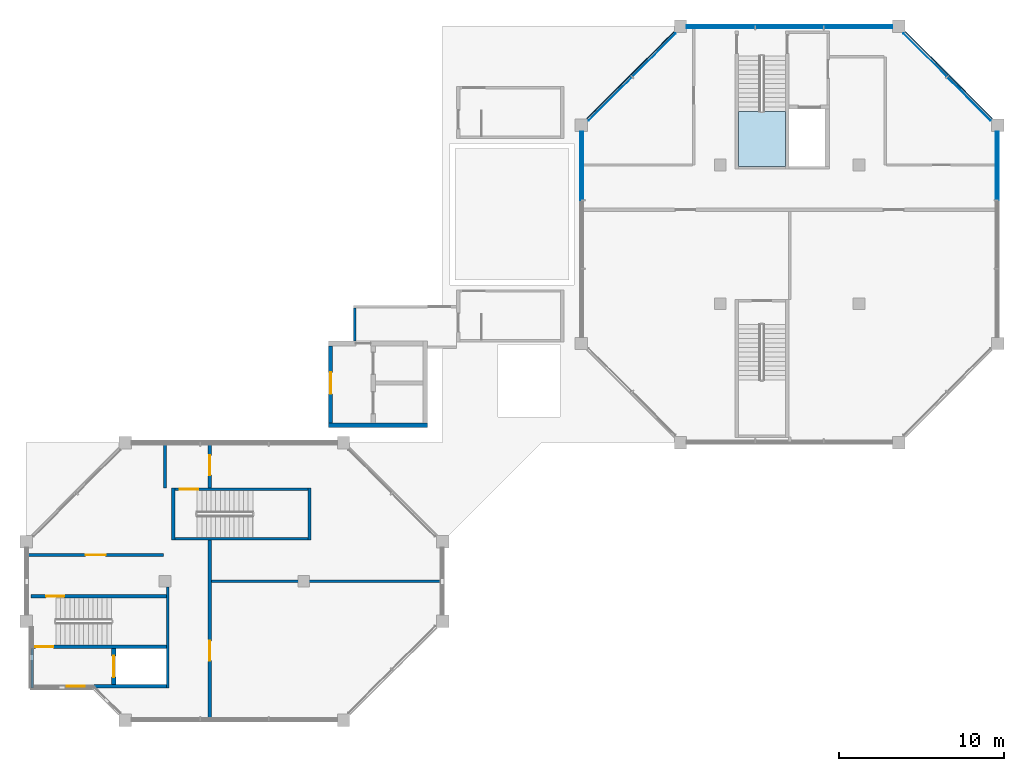
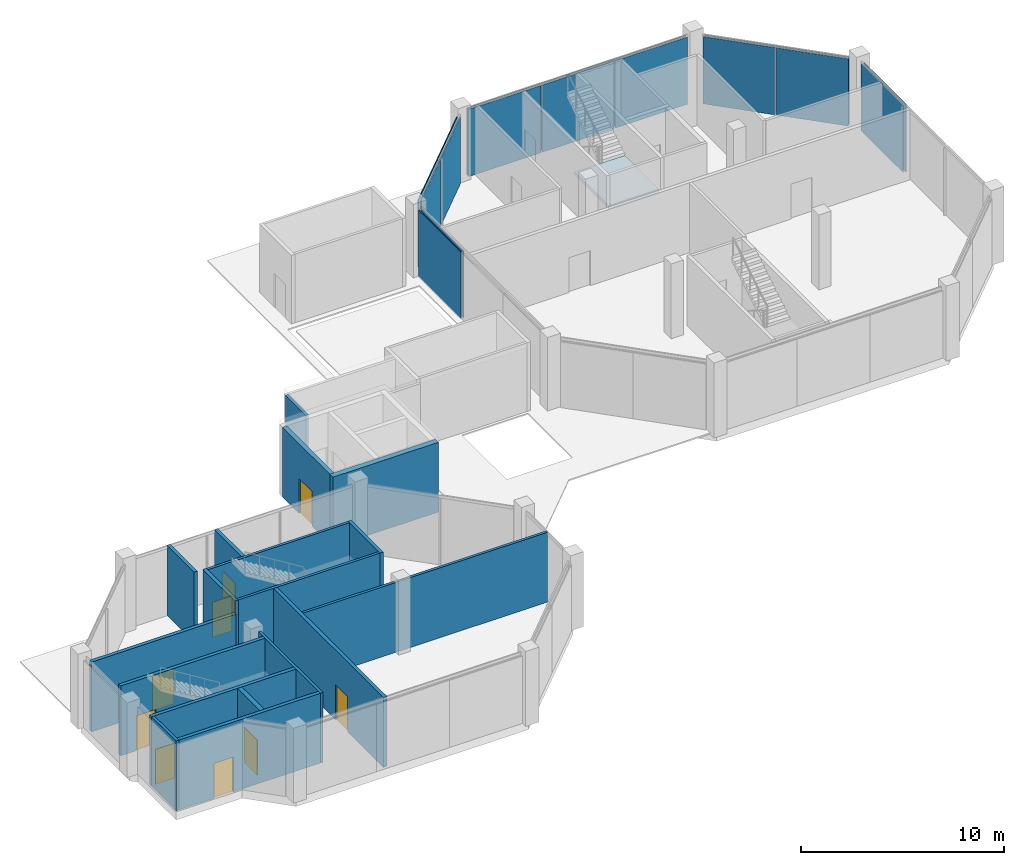
# One storey, part 5 of 10: 18 plates, 18 walls, 9 doors, 1 slab, 9 openings, 6 elements without a shape of their own.
"""IFC4 building model written with IfcOpenShell, lengths in metres."""

from ifc_helpers import new_model, si_unit, direction, frame, frame_2d, origin, origin_2d, place, context, subcontext, project, spatial, polyline, rectangle, outline, extrude, material, layer, layer_set, type_object, element, fill, aggregate, save


model = new_model("IFC4")

# Units and contexts
model_context = context("Model", 3, precision=1e-05, world=origin(), true_north=direction((0.0, 1.0)))
body_context = subcontext(model_context, "Body", "Model", "MODEL_VIEW")
ifc_project = project(units=[si_unit("LENGTHUNIT", "METRE"), si_unit("AREAUNIT", "SQUARE_METRE"), si_unit("VOLUMEUNIT", "CUBIC_METRE"), si_unit("PLANEANGLEUNIT", "RADIAN"), si_unit("MASSUNIT", "GRAM", prefix="KILO")], contexts=[model_context])

# Site, building, storey
site_placement = place(None, origin())
site = spatial("IfcSite", under=ifc_project, at=site_placement, CompositionType="ELEMENT")
building_placement = place(site_placement, origin())
building = spatial("IfcBuilding", under=site, at=building_placement, Name="Kawkab Arch Medical Tower", CompositionType="ELEMENT")
storey_placement = place(building_placement, frame((0.0, 0.0, 336.699951171875)))
storey = spatial("IfcBuildingStorey", under=building, at=storey_placement, Name="L78", CompositionType="ELEMENT", Elevation=336.699951171875)

# Curtain wall, plates
ifc_material_1 = material(Name="Bronze anodised aluminium curtain wall frame", Category="aluminium")
ifc_layer_1 = layer(ifc_material_1, 0.159912109375)
ifc_layer_set_1 = layer_set([ifc_layer_1], Name="Bronze anodised aluminium curtain wall frame")
curtain_wall_type = type_object("IfcCurtainWallType", Name="CW6 helipad lobby and crown glazing", PredefinedType="NOTDEFINED", material=ifc_layer_set_1)
placement = place(storey_placement, origin())
curtain_wall_1 = element("IfcCurtainWall", 1, at=placement, inside=storey, type_object=curtain_wall_type, Name="CW6 Helipad lobby and crown glazing R01", PredefinedType="NOTDEFINED")
ifc_material_2 = material(Name="Tinted laminated insulating glass, low iron", Category="glass")
ifc_layer_2 = layer(ifc_material_2, 0.0400390625)
ifc_layer_set_2 = layer_set([ifc_layer_2], Name="Tinted laminated insulating glass, low iron")
plate_type_1 = type_object("IfcPlateType", Name="CW6 glazing unit 40", PredefinedType="CURTAIN_PANEL", material=ifc_layer_set_2)
plate_1_placement = place(storey_placement, frame((57.05419921875, -4.3955078125, 0.0), z_axis=(0.0, 0.0, 1.0), x_axis=(-0.707106781187, 0.707106781187, 0.0)))
plate_1 = element("IfcPlate", 2, at=plate_1_placement, type_object=plate_type_1, Name="CW6 glazing unit 1.1", PredefinedType="CURTAIN_PANEL", context=body_context, shape_type="SweptSolid", body=[
    extrude(rectangle(XDim=3.67724609375, YDim=0.0400390625, at=origin_2d()), origin(), (0.0, 0.0, 1.0), 4.0400390625),
])
plate_2_placement = place(storey_placement, frame((54.404296875, -1.745849609375, 0.0), z_axis=(0.0, 0.0, 1.0), x_axis=(-0.707106781187, 0.707106781187, 0.0)))
plate_2 = element("IfcPlate", 3, at=plate_2_placement, type_object=plate_type_1, Name="CW6 glazing unit 1.2", PredefinedType="CURTAIN_PANEL", context=body_context, shape_type="SweptSolid", body=[
    extrude(rectangle(XDim=3.67724609375, YDim=0.0400390625, at=origin_2d()), origin(), (0.0, 0.0, 1.0), 4.0400390625),
])
aggregate(curtain_wall_1, [plate_1, plate_2])

curtain_wall_2 = element("IfcCurtainWall", 4, at=placement, inside=storey, type_object=curtain_wall_type, Name="CW6 Helipad lobby and crown glazing R02", PredefinedType="NOTDEFINED")
plate_3_placement = place(storey_placement, frame((50.367431640625, -0.10009765625, 0.0), z_axis=(0.0, 0.0, 1.0), x_axis=(-1.0, 0.0, 0.0)))
plate_3 = element("IfcPlate", 5, at=plate_3_placement, type_object=plate_type_1, Name="CW6 glazing unit 1.1", PredefinedType="CURTAIN_PANEL", context=body_context, shape_type="SweptSolid", body=[
    extrude(rectangle(XDim=4.114990234375, YDim=0.0400390625, at=origin_2d()), origin(), (0.0, 0.0, 1.0), 4.0400390625),
])
plate_4_placement = place(storey_placement, frame((46.199951171875, -0.10009765625, 0.0), z_axis=(0.0, 0.0, 1.0), x_axis=(-1.0, 0.0, 0.0)))
plate_4 = element("IfcPlate", 6, at=plate_4_placement, type_object=plate_type_1, Name="CW6 glazing unit 1.2", PredefinedType="CURTAIN_PANEL", context=body_context, shape_type="SweptSolid", body=[
    extrude(rectangle(XDim=4.080078125, YDim=0.0400390625, at=origin_2d()), origin(), (0.0, 0.0, 1.0), 4.0400390625),
])
plate_5_placement = place(storey_placement, frame((42.032470703125, -0.10009765625, 0.0), z_axis=(0.0, 0.0, 1.0), x_axis=(-1.0, 0.0, 0.0)))
plate_5 = element("IfcPlate", 7, at=plate_5_placement, type_object=plate_type_1, Name="CW6 glazing unit 1.3", PredefinedType="CURTAIN_PANEL", context=body_context, shape_type="SweptSolid", body=[
    extrude(rectangle(XDim=4.114990234375, YDim=0.0400390625, at=origin_2d()), origin(), (0.0, 0.0, 1.0), 4.0400390625),
])
aggregate(curtain_wall_2, [plate_3, plate_4, plate_5])

curtain_wall_3 = element("IfcCurtainWall", 8, at=placement, inside=storey, type_object=curtain_wall_type, Name="CW6 Helipad lobby and crown glazing R03", PredefinedType="NOTDEFINED")
plate_6_placement = place(storey_placement, frame((37.99560546875, -1.745849609375, 0.0), z_axis=(0.0, 0.0, 1.0), x_axis=(-0.707106781187, -0.707106781187, 0.0)))
plate_6 = element("IfcPlate", 9, at=plate_6_placement, type_object=plate_type_1, Name="CW6 glazing unit 1.1", PredefinedType="CURTAIN_PANEL", context=body_context, shape_type="SweptSolid", body=[
    extrude(rectangle(XDim=3.67724609375, YDim=0.0400390625, at=origin_2d()), origin(), (0.0, 0.0, 1.0), 4.0400390625),
])
plate_7_placement = place(storey_placement, frame((35.345703125, -4.3955078125, 0.0), z_axis=(0.0, 0.0, 1.0), x_axis=(-0.707106781187, -0.707106781187, 0.0)))
plate_7 = element("IfcPlate", 10, at=plate_7_placement, type_object=plate_type_1, Name="CW6 glazing unit 1.2", PredefinedType="CURTAIN_PANEL", context=body_context, shape_type="SweptSolid", body=[
    extrude(rectangle(XDim=3.67724609375, YDim=0.0400390625, at=origin_2d()), origin(), (0.0, 0.0, 1.0), 4.0400390625),
])
aggregate(curtain_wall_3, [plate_6, plate_7])

# Curtain wall, plate
curtain_wall_4 = element("IfcCurtainWall", 11, at=placement, inside=storey, type_object=curtain_wall_type, Name="CW6 Helipad lobby and crown glazing R04", PredefinedType="NOTDEFINED")
plate_8_placement = place(storey_placement, frame((33.699951171875, -8.4326171875, 0.0), z_axis=(0.0, 0.0, 1.0), x_axis=(0.0, -1.0, 0.0)))
plate_8 = element("IfcPlate", 12, at=plate_8_placement, type_object=plate_type_1, Name="CW6 glazing unit 1.1", PredefinedType="CURTAIN_PANEL", context=body_context, shape_type="SweptSolid", body=[
    extrude(rectangle(XDim=4.114990234375, YDim=0.0400390625, at=origin_2d()), origin(), (0.0, 0.0, 1.0), 4.0400390625),
])
aggregate(curtain_wall_4, [plate_8])

curtain_wall_5 = element("IfcCurtainWall", 13, at=placement, inside=storey, type_object=curtain_wall_type, Name="CW6 Helipad lobby and crown glazing R08", PredefinedType="NOTDEFINED")
plate_9_placement = place(storey_placement, frame((58.699951171875, -8.4326171875, 0.0), z_axis=(0.0, 0.0, 1.0), x_axis=(0.0, 1.0, 0.0)))
plate_9 = element("IfcPlate", 14, at=plate_9_placement, type_object=plate_type_1, Name="CW6 glazing unit 1.3", PredefinedType="CURTAIN_PANEL", context=body_context, shape_type="SweptSolid", body=[
    extrude(rectangle(XDim=4.114990234375, YDim=0.0400390625, at=origin_2d()), origin(), (0.0, 0.0, 1.0), 4.0400390625),
])
aggregate(curtain_wall_5, [plate_9])

# Plates
ifc_material_3 = material(Name="Bronze anodised aluminium perforated screen", Category="aluminium")
ifc_layer_3 = layer(ifc_material_3, 0.050048828125)
ifc_layer_set_3 = layer_set([ifc_layer_3], Name="Bronze anodised aluminium perforated screen")
plate_type_2 = type_object("IfcPlateType", Name="Crown perforated star screen 50", PredefinedType="USERDEFINED", material=ifc_layer_set_3)
for number, where, z_axis, x_axis, name in (
    (15, (57.144287109375, -4.28076171875, 0.0), (0.0, 0.0, 1.0), (-0.707106781187, 0.707106781187, 0.0), "Crown screen L78 R01.1.1"),
    (16, (54.519287109375, -1.655517578125, 0.0), (0.0, 0.0, 1.0), (-0.707106781187, 0.707106781187, 0.0), "Crown screen L78 R01.1.2"),
):
    element("IfcPlate", number, at=place(storey_placement, frame(where, z_axis=z_axis, x_axis=x_axis)), inside=storey, type_object=plate_type_2, Name=name, ObjectType="SCREEN", PredefinedType="USERDEFINED", context=body_context, shape_type="SweptSolid", body=[
        extrude(rectangle(XDim=3.71240234375, YDim=0.050048828125, at=origin_2d()), origin(), (0.0, 0.0, 1.0), 4.0400390625),
    ])
for number, where, z_axis, x_axis, name in (
    (17, (50.35009765625, 0.044921875, 0.0), (0.0, 0.0, 1.0), (-1.0, 0.0, 0.0), "Crown screen L78 R02.1.1"),
    (18, (46.199951171875, 0.044921875, 0.0), (0.0, 0.0, 1.0), (-1.0, 0.0, 0.0), "Crown screen L78 R02.1.2"),
    (19, (42.050048828125, 0.044921875, 0.0), (0.0, 0.0, 1.0), (-1.0, 0.0, 0.0), "Crown screen L78 R02.1.3"),
):
    element("IfcPlate", number, at=place(storey_placement, frame(where, z_axis=z_axis, x_axis=x_axis)), inside=storey, type_object=plate_type_2, Name=name, ObjectType="SCREEN", PredefinedType="USERDEFINED", context=body_context, shape_type="SweptSolid", body=[
        extrude(rectangle(XDim=4.14990234375, YDim=0.050048828125, at=origin_2d()), origin(), (0.0, 0.0, 1.0), 4.0400390625),
    ])
for number, where, z_axis, x_axis, name in (
    (20, (37.880615234375, -1.65576171875, 0.0), (0.0, 0.0, 1.0), (-0.707106781187, -0.707106781187, 0.0), "Crown screen L78 R03.1.1"),
    (21, (35.255615234375, -4.28076171875, 0.0), (0.0, 0.0, 1.0), (-0.707106781187, -0.707106781187, 0.0), "Crown screen L78 R03.1.2"),
):
    element("IfcPlate", number, at=place(storey_placement, frame(where, z_axis=z_axis, x_axis=x_axis)), inside=storey, type_object=plate_type_2, Name=name, ObjectType="SCREEN", PredefinedType="USERDEFINED", context=body_context, shape_type="SweptSolid", body=[
        extrude(rectangle(XDim=3.71240234375, YDim=0.050048828125, at=origin_2d()), origin(), (0.0, 0.0, 1.0), 4.0400390625),
    ])
for number, where, z_axis, x_axis, name in (
    (22, (33.554931640625, -8.449951171875, 0.0), (0.0, 0.0, 1.0), (0.0, -1.0, 0.0), "Crown screen L78 R04.1.1"),
    (23, (58.844970703125, -8.449951171875, 0.0), (0.0, 0.0, 1.0), (0.0, 1.0, 0.0), "Crown screen L78 R08.1.3"),
):
    element("IfcPlate", number, at=place(storey_placement, frame(where, z_axis=z_axis, x_axis=x_axis)), inside=storey, type_object=plate_type_2, Name=name, ObjectType="SCREEN", PredefinedType="USERDEFINED", context=body_context, shape_type="SweptSolid", body=[
        extrude(rectangle(XDim=4.14990234375, YDim=0.050048828125, at=origin_2d()), origin(), (0.0, 0.0, 1.0), 4.0400390625),
    ])

# Stair, slab
ifc_material_4 = material(Name="Concrete C40/50", Category="concrete")
stair_type = type_object("IfcStairType", Name="Exit stair 1350", PredefinedType="HALF_TURN_STAIR", material=ifc_material_4)
stair = element("IfcStair", 24, at=placement, inside=storey, type_object=stair_type, Name="L78 Exit stair ST5", PredefinedType="HALF_TURN_STAIR")
ifc_material_5 = material(Name="Concrete C40/50", Category="concrete")
ifc_layer_4 = layer(ifc_material_5, 0.199951171875)
ifc_layer_set_4 = layer_set([ifc_layer_4], Name="Concrete C40/50")
slab_type = type_object("IfcSlabType", Name="Exit stair landing 200", PredefinedType="LANDING", material=ifc_layer_set_4)
slab_placement = place(storey_placement, frame((0.0, 0.0, 2.050048828125)))
slab = element("IfcSlab", 25, at=slab_placement, type_object=slab_type, Name="ST5 landing 1", PredefinedType="LANDING", context=body_context, shape_type="SweptSolid", body=[
    extrude(outline(polyline([(43.10009765625, -5.159912109375), (43.10009765625, -8.5), (45.949951171875, -8.5), (45.949951171875, -5.159912109375), (43.10009765625, -5.159912109375)])), origin(), (0.0, 0.0, 1.0), 0.199951171875),
])
aggregate(stair, [slab])

# Wall, opening, door
ifc_material_6 = material(Name="Concrete C60/75", Category="concrete")
ifc_layer_5 = layer(ifc_material_6, 0.25)
ifc_layer_set_5 = layer_set([ifc_layer_5], Name="Concrete C60/75")
wall_type_1 = type_object("IfcWallType", Name="Core shear wall 250 C60/75", PredefinedType="SHEAR", material=ifc_layer_set_5)
wall_1_placement = place(storey_placement, frame((5.300048828125, -39.85009765625, 0.0), z_axis=(0.0, 0.0, 1.0), x_axis=(0.0, 1.0, 0.0)))
wall_1 = element("IfcWall", 26, at=wall_1_placement, inside=storey, type_object=wall_type_1, Name="L78 core shear wall", PredefinedType="SHEAR", context=body_context, shape_type="SweptSolid", body=[
    extrude(rectangle(XDim=2.2001953125, YDim=0.25, at=frame_2d((1.10009765625, 0.0))), origin(), (0.0, 0.0, 1.0), 4.199951171875),
])
opening_1_placement = place(wall_1_placement, frame((0.449951171875, 0.0, 0.0)))
opening_1 = element("IfcOpeningElement", 27, at=opening_1_placement, cuts=wall_1, Name="Opening LD2", PredefinedType="OPENING", context=body_context, shape_type="SweptSolid", body=[
    extrude(rectangle(XDim=1.300048828125, YDim=2.10009765625, at=frame_2d((0.64990234375, 1.050048828125))), frame((0.0, 0.135009765625, 0.0), z_axis=(0.0, -1.0, 0.0), x_axis=(1.0, 0.0, 0.0)), (0.0, 0.0, 1.0), 0.27001953125),
])
ifc_material_7 = material(Name="Stainless steel lift door leaf", Category="steel")
door_type_1 = type_object("IfcDoorType", Name="Lift landing door 1300", OperationType="DOUBLE_DOOR_SLIDING", PredefinedType="DOOR", material=ifc_material_7)
door_1_placement = place(opening_1_placement, origin())
door_1 = element("IfcDoor", 28, at=door_1_placement, inside=storey, type_object=door_type_1, Name="L78 Lift landing door SV2", OperationType="DOUBLE_DOOR_SLIDING", OverallHeight=2.10009765625, OverallWidth=1.300048828125, PredefinedType="DOOR", context=body_context, shape_type="SweptSolid", body=[
    extrude(rectangle(XDim=1.300048828125, YDim=2.10009765625, at=frame_2d((0.64990234375, 1.050048828125))), frame((0.0, 0.02490234375, 0.0), z_axis=(0.0, -1.0, 0.0), x_axis=(1.0, 0.0, 0.0)), (0.0, 0.0, 1.0), 0.050048828125),
])
fill(opening_1, door_1)

wall_2_placement = place(storey_placement, frame((18.425048828125, -24.0, 0.0), z_axis=(0.0, 0.0, 1.0), x_axis=(0.0, 1.0, 0.0)))
wall_2 = element("IfcWall", 29, at=wall_2_placement, inside=storey, type_object=wall_type_1, Name="L78 core shear wall", PredefinedType="SHEAR", context=body_context, shape_type="SweptSolid", body=[
    extrude(rectangle(XDim=4.64990234375, YDim=0.25, at=frame_2d((2.324951171875, 0.0))), origin(), (0.0, 0.0, 1.0), 4.199951171875),
])
opening_2_placement = place(wall_2_placement, frame((1.75, 0.0, 0.0)))
opening_2 = element("IfcOpeningElement", 30, at=opening_2_placement, cuts=wall_2, Name="Opening DD", PredefinedType="OPENING", context=body_context, shape_type="SweptSolid", body=[
    extrude(rectangle(XDim=1.300048828125, YDim=2.10009765625, at=frame_2d((0.64990234375, 1.050048828125))), frame((0.0, 0.135009765625, 0.0), z_axis=(0.0, -1.0, 0.0), x_axis=(1.0, 0.0, 0.0)), (0.0, 0.0, 1.0), 0.27001953125),
])
ifc_material_8 = material(Name="Hollow metal fire door leaf")
door_type_2 = type_object("IfcDoorType", Name="Roof access door 1300", OperationType="SINGLE_SWING_LEFT", PredefinedType="DOOR", material=ifc_material_8)
door_2_placement = place(opening_2_placement, origin())
door_2 = element("IfcDoor", 31, at=door_2_placement, inside=storey, type_object=door_type_2, Name="L78 Helideck lobby door west", OperationType="SINGLE_SWING_LEFT", OverallHeight=2.10009765625, OverallWidth=1.300048828125, PredefinedType="DOOR", context=body_context, shape_type="SweptSolid", body=[
    extrude(rectangle(XDim=1.300048828125, YDim=2.10009765625, at=frame_2d((0.64990234375, 1.050048828125))), frame((0.0, 0.02490234375, 0.0), z_axis=(0.0, -1.0, 0.0), x_axis=(1.0, 0.0, 0.0)), (0.0, 0.0, 1.0), 0.050048828125),
])
fill(opening_2, door_2)

# Walls
ifc_material_9 = material(Name="Concrete C60/75", Category="concrete")
ifc_layer_6 = layer(ifc_material_9, 0.300048828125)
ifc_layer_set_6 = layer_set([ifc_layer_6], Name="Concrete C60/75")
wall_type_2 = type_object("IfcWallType", Name="Core shear wall 300 C60/75", PredefinedType="SHEAR", material=ifc_layer_set_6)
wall_3_placement = place(storey_placement, frame((18.300048828125, -24.14990234375, 0.0), z_axis=(0.0, 0.0, 1.0), x_axis=(1.0, 0.0, 0.0)))
element("IfcWall", 32, at=wall_3_placement, inside=storey, type_object=wall_type_2, Name="L78 core shear wall", PredefinedType="SHEAR", context=body_context, shape_type="SweptSolid", body=[
    extrude(rectangle(XDim=6.0, YDim=0.300048828125, at=frame_2d((3.0, 0.0))), origin(), (0.0, 0.0, 1.0), 4.199951171875),
])
ifc_material_10 = material(Name="Gypsum board partition on steel studs, mineral wool", Category="steel")
ifc_layer_7 = layer(ifc_material_10, 0.14990234375)
ifc_layer_set_7 = layer_set([ifc_layer_7], Name="Gypsum board partition on steel studs, mineral wool")
wall_type_3 = type_object("IfcWallType", Name="Partition 150", PredefinedType="PARTITIONING", material=ifc_layer_set_7)
wall_4_placement = place(storey_placement, frame((11.199951171875, -33.60009765625, 0.0), z_axis=(0.0, 0.0, 1.0), x_axis=(1.0, 0.0, 0.0)))
element("IfcWall", 33, at=wall_4_placement, inside=storey, type_object=wall_type_3, Name="Partition 150 w001", PredefinedType="PARTITIONING", context=body_context, shape_type="SweptSolid", body=[
    extrude(rectangle(XDim=13.920166015625, YDim=0.14990234375, at=frame_2d((6.9599609375, 0.0))), origin(), (0.0, 0.0, 1.0), 4.199951171875),
])

# Wall, opening, door
ifc_material_11 = material(Name="Fire-rated gypsum board partition on steel studs", Category="steel")
ifc_layer_8 = layer(ifc_material_11, 0.199951171875)
ifc_layer_set_8 = layer_set([ifc_layer_8], Name="Fire-rated gypsum board partition on steel studs")
wall_type_4 = type_object("IfcWallType", Name="Protected partition 200", PredefinedType="PARTITIONING", material=ifc_layer_set_8)
wall_5_placement = place(storey_placement, frame((0.080078125, -32.007080078125, 0.0), z_axis=(0.0, 0.0, 1.0), x_axis=(1.0, 0.0, 0.0)))
wall_5 = element("IfcWall", 34, at=wall_5_placement, inside=storey, type_object=wall_type_4, Name="Protected partition 200 w009", PredefinedType="PARTITIONING", context=body_context, shape_type="SweptSolid", body=[
    extrude(rectangle(XDim=8.219970703125, YDim=0.199951171875, at=frame_2d((4.10986328125, 0.0))), origin(), (0.0, 0.0, 1.0), 4.199951171875),
])
opening_3_placement = place(wall_5_placement, frame((3.52001953125, 0.0, 0.0)))
opening_3 = element("IfcOpeningElement", 35, at=opening_3_placement, cuts=wall_5, Name="Opening C78-007", PredefinedType="OPENING", context=body_context, shape_type="SweptSolid", body=[
    extrude(rectangle(XDim=1.199951171875, YDim=2.10009765625, at=frame_2d((0.60009765625, 1.050048828125))), frame((0.0, 0.10986328125, 0.0), z_axis=(0.0, -1.0, 0.0), x_axis=(1.0, 0.0, 0.0)), (0.0, 0.0, 1.0), 0.219970703125),
])
ifc_material_12 = material(Name="Hollow metal door leaf")
door_type_3 = type_object("IfcDoorType", Name="Single door 1200x2100 FD60", OperationType="NOTDEFINED", PredefinedType="DOOR", material=ifc_material_12)
door_3_placement = place(opening_3_placement, origin())
door_3 = element("IfcDoor", 36, at=door_3_placement, inside=storey, type_object=door_type_3, Name="Door C78-007", OperationType="SINGLE_SWING_RIGHT", OverallHeight=2.10009765625, OverallWidth=1.199951171875, PredefinedType="DOOR", context=body_context, shape_type="SweptSolid", body=[
    extrude(rectangle(XDim=1.199951171875, YDim=2.10009765625, at=frame_2d((0.60009765625, 1.050048828125))), frame((0.0, 0.02490234375, 0.0), z_axis=(0.0, -1.0, 0.0), x_axis=(1.0, 0.0, 0.0)), (0.0, 0.0, 1.0), 0.050048828125),
])
fill(opening_3, door_3)

# Wall
wall_6_placement = place(storey_placement, frame((8.39990234375, -27.949951171875, 0.0), z_axis=(0.0, 0.0, 1.0), x_axis=(0.0, 1.0, 0.0)))
element("IfcWall", 37, at=wall_6_placement, inside=storey, type_object=wall_type_4, Name="Protected partition 200 w011", PredefinedType="PARTITIONING", context=body_context, shape_type="SweptSolid", body=[
    extrude(rectangle(XDim=2.669921875, YDim=0.199951171875, at=frame_2d((1.3349609375, 0.0))), origin(), (0.0, 0.0, 1.0), 4.199951171875),
])

# Wall, opening, door
wall_7_placement = place(storey_placement, frame((11.10009765625, -41.919921875, 0.0), z_axis=(0.0, 0.0, 1.0), x_axis=(0.0, 1.0, 0.0)))
wall_7 = element("IfcWall", 38, at=wall_7_placement, inside=storey, type_object=wall_type_4, Name="Protected partition 200 w012", PredefinedType="PARTITIONING", context=body_context, shape_type="SweptSolid", body=[
    extrude(rectangle(XDim=10.81982421875, YDim=0.199951171875, at=frame_2d((5.409912109375, 0.0))), origin(), (0.0, 0.0, 1.0), 4.199951171875),
])
opening_4_placement = place(wall_7_placement, frame((3.52001953125, 0.0, 0.0)))
opening_4 = element("IfcOpeningElement", 39, at=opening_4_placement, cuts=wall_7, Name="Opening C78-006", PredefinedType="OPENING", context=body_context, shape_type="SweptSolid", body=[
    extrude(rectangle(XDim=1.199951171875, YDim=2.10009765625, at=frame_2d((0.60009765625, 1.050048828125))), frame((0.0, 0.10986328125, 0.0), z_axis=(0.0, -1.0, 0.0), x_axis=(1.0, 0.0, 0.0)), (0.0, 0.0, 1.0), 0.219970703125),
])
door_4_placement = place(opening_4_placement, origin())
door_4 = element("IfcDoor", 40, at=door_4_placement, inside=storey, type_object=door_type_3, Name="Door C78-006", OperationType="SINGLE_SWING_RIGHT", OverallHeight=2.10009765625, OverallWidth=1.199951171875, PredefinedType="DOOR", context=body_context, shape_type="SweptSolid", body=[
    extrude(rectangle(XDim=1.199951171875, YDim=2.10009765625, at=frame_2d((0.60009765625, 1.050048828125))), frame((0.0, 0.02490234375, 0.0), z_axis=(0.0, -1.0, 0.0), x_axis=(1.0, 0.0, 0.0)), (0.0, 0.0, 1.0), 0.050048828125),
])
fill(opening_4, door_4)

wall_8_placement = place(storey_placement, frame((11.10009765625, -27.949951171875, 0.0), z_axis=(0.0, 0.0, 1.0), x_axis=(0.0, 1.0, 0.0)))
wall_8 = element("IfcWall", 41, at=wall_8_placement, inside=storey, type_object=wall_type_4, Name="Protected partition 200 w013", PredefinedType="PARTITIONING", context=body_context, shape_type="SweptSolid", body=[
    extrude(rectangle(XDim=2.669921875, YDim=0.199951171875, at=frame_2d((1.3349609375, 0.0))), origin(), (0.0, 0.0, 1.0), 4.199951171875),
])
opening_5_placement = place(wall_8_placement, frame((0.77490234375, 0.0, 0.0)))
opening_5 = element("IfcOpeningElement", 42, at=opening_5_placement, cuts=wall_8, Name="Opening C78-005", PredefinedType="OPENING", context=body_context, shape_type="SweptSolid", body=[
    extrude(rectangle(XDim=1.199951171875, YDim=2.10009765625, at=frame_2d((0.60009765625, 1.050048828125))), frame((0.0, 0.10986328125, 0.0), z_axis=(0.0, -1.0, 0.0), x_axis=(1.0, 0.0, 0.0)), (0.0, 0.0, 1.0), 0.219970703125),
])
door_5_placement = place(opening_5_placement, origin())
door_5 = element("IfcDoor", 43, at=door_5_placement, inside=storey, type_object=door_type_3, Name="Door C78-005", OperationType="SINGLE_SWING_LEFT", OverallHeight=2.10009765625, OverallWidth=1.199951171875, PredefinedType="DOOR", context=body_context, shape_type="SweptSolid", body=[
    extrude(rectangle(XDim=1.199951171875, YDim=2.10009765625, at=frame_2d((0.60009765625, 1.050048828125))), frame((0.0, 0.02490234375, 0.0), z_axis=(0.0, -1.0, 0.0), x_axis=(1.0, 0.0, 0.0)), (0.0, 0.0, 1.0), 0.050048828125),
])
fill(opening_5, door_5)

# Walls
ifc_material_13 = material(Name="Concrete C50/60", Category="concrete")
ifc_layer_9 = layer(ifc_material_13, 0.14990234375)
ifc_layer_set_9 = layer_set([ifc_layer_9], Name="Concrete C50/60")
wall_type_5 = type_object("IfcWallType", Name="Stair enclosure wall 150 C50/60", PredefinedType="SHEAR", material=ifc_layer_set_9)
wall_9_placement = place(storey_placement, frame((0.375, -40.050048828125, 0.0), z_axis=(0.0, 0.0, 1.0), x_axis=(0.0, 1.0, 0.0)))
element("IfcWall", 44, at=wall_9_placement, inside=storey, type_object=wall_type_5, Name="L78 stair enclosure wall", PredefinedType="SHEAR", context=body_context, shape_type="SweptSolid", body=[
    extrude(rectangle(XDim=2.400146484375, YDim=0.14990234375, at=frame_2d((1.2001953125, 0.0))), origin(), (0.0, 0.0, 1.0), 4.199951171875),
])
wall_10_placement = place(storey_placement, frame((8.574951171875, -40.050048828125, 0.0), z_axis=(0.0, 0.0, 1.0), x_axis=(0.0, 1.0, 0.0)))
element("IfcWall", 45, at=wall_10_placement, inside=storey, type_object=wall_type_5, Name="L78 stair enclosure wall", PredefinedType="SHEAR", context=body_context, shape_type="SweptSolid", body=[
    extrude(rectangle(XDim=6.10009765625, YDim=0.14990234375, at=frame_2d((3.050048828125, 0.0))), origin(), (0.0, 0.0, 1.0), 4.199951171875),
])

# Wall, opening, door
wall_11_placement = place(storey_placement, frame((9.0, -28.02490234375, 0.0), z_axis=(0.0, 0.0, 1.0), x_axis=(1.0, 0.0, 0.0)))
wall_11 = element("IfcWall", 46, at=wall_11_placement, inside=storey, type_object=wall_type_5, Name="L78 stair enclosure wall", PredefinedType="SHEAR", context=body_context, shape_type="SweptSolid", body=[
    extrude(rectangle(XDim=8.050048828125, YDim=0.14990234375, at=frame_2d((4.02490234375, 0.0))), origin(), (0.0, 0.0, 1.0), 4.199951171875),
])
opening_6_placement = place(wall_11_placement, frame((0.300048828125, 0.0, 0.0)))
opening_6 = element("IfcOpeningElement", 47, at=opening_6_placement, cuts=wall_11, Name="Opening SD", PredefinedType="OPENING", context=body_context, shape_type="SweptSolid", body=[
    extrude(rectangle(XDim=1.10009765625, YDim=2.10009765625, at=frame_2d((0.550048828125, 1.050048828125))), frame((0.0, 0.0849609375, 0.0), z_axis=(0.0, -1.0, 0.0), x_axis=(1.0, 0.0, 0.0)), (0.0, 0.0, 1.0), 0.169921875),
])
ifc_material_14 = material(Name="Hollow metal fire door leaf")
door_type_4 = type_object("IfcDoorType", Name="Exit stair door 1100", OperationType="SINGLE_SWING_LEFT", PredefinedType="DOOR", material=ifc_material_14)
door_6_placement = place(opening_6_placement, origin())
door_6 = element("IfcDoor", 48, at=door_6_placement, inside=storey, type_object=door_type_4, Name="L78 Exit stair ST9 door", OperationType="SINGLE_SWING_LEFT", OverallHeight=2.10009765625, OverallWidth=1.10009765625, PredefinedType="DOOR", context=body_context, shape_type="SweptSolid", body=[
    extrude(rectangle(XDim=1.10009765625, YDim=2.10009765625, at=frame_2d((0.550048828125, 1.050048828125))), frame((0.0, 0.02490234375, 0.0), z_axis=(0.0, -1.0, 0.0), x_axis=(1.0, 0.0, 0.0)), (0.0, 0.0, 1.0), 0.050048828125),
])
fill(opening_6, door_6)

# Walls
wall_12_placement = place(storey_placement, frame((9.0, -31.02490234375, 0.0), z_axis=(0.0, 0.0, 1.0), x_axis=(1.0, 0.0, 0.0)))
element("IfcWall", 49, at=wall_12_placement, inside=storey, type_object=wall_type_5, Name="L78 stair enclosure wall", PredefinedType="SHEAR", context=body_context, shape_type="SweptSolid", body=[
    extrude(rectangle(XDim=8.050048828125, YDim=0.14990234375, at=frame_2d((4.02490234375, 0.0))), origin(), (0.0, 0.0, 1.0), 4.199951171875),
])
wall_13_placement = place(storey_placement, frame((19.875, -19.050048828125, 0.0), z_axis=(0.0, 0.0, 1.0), x_axis=(0.0, 1.0, 0.0)))
element("IfcWall", 50, at=wall_13_placement, inside=storey, type_object=wall_type_5, Name="L78 stair enclosure wall", PredefinedType="SHEAR", context=body_context, shape_type="SweptSolid", body=[
    extrude(rectangle(XDim=2.0, YDim=0.14990234375, at=frame_2d((1.0, 0.0))), origin(), (0.0, 0.0, 1.0), 4.199951171875),
])

# Wall, opening, door
ifc_material_15 = material(Name="Concrete C50/60", Category="concrete")
ifc_layer_10 = layer(ifc_material_15, 0.199951171875)
ifc_layer_set_10 = layer_set([ifc_layer_10], Name="Concrete C50/60")
wall_type_6 = type_object("IfcWallType", Name="Stair enclosure wall 200 C50/60", PredefinedType="SHEAR", material=ifc_layer_set_10)
wall_14_placement = place(storey_placement, frame((0.300048828125, -34.5, 0.0), z_axis=(0.0, 0.0, 1.0), x_axis=(1.0, 0.0, 0.0)))
wall_14 = element("IfcWall", 51, at=wall_14_placement, inside=storey, type_object=wall_type_6, Name="L78 stair enclosure wall", PredefinedType="SHEAR", context=body_context, shape_type="SweptSolid", body=[
    extrude(rectangle(XDim=8.199951171875, YDim=0.199951171875, at=frame_2d((4.10009765625, 0.0))), origin(), (0.0, 0.0, 1.0), 4.199951171875),
])
opening_7_placement = place(wall_14_placement, frame((0.89990234375, 0.0, 0.0)))
opening_7 = element("IfcOpeningElement", 52, at=opening_7_placement, cuts=wall_14, Name="Opening SD", PredefinedType="OPENING", context=body_context, shape_type="SweptSolid", body=[
    extrude(rectangle(XDim=1.10009765625, YDim=2.10009765625, at=frame_2d((0.550048828125, 1.050048828125))), frame((0.0, 0.10986328125, 0.0), z_axis=(0.0, -1.0, 0.0), x_axis=(1.0, 0.0, 0.0)), (0.0, 0.0, 1.0), 0.219970703125),
])
door_7_placement = place(opening_7_placement, origin())
door_7 = element("IfcDoor", 53, at=door_7_placement, inside=storey, type_object=door_type_4, Name="L78 Exit stair ST6 door", OperationType="SINGLE_SWING_LEFT", OverallHeight=2.10009765625, OverallWidth=1.10009765625, PredefinedType="DOOR", context=body_context, shape_type="SweptSolid", body=[
    extrude(rectangle(XDim=1.10009765625, YDim=2.10009765625, at=frame_2d((0.550048828125, 1.050048828125))), frame((0.0, 0.02490234375, 0.0), z_axis=(0.0, -1.0, 0.0), x_axis=(1.0, 0.0, 0.0)), (0.0, 0.0, 1.0), 0.050048828125),
])
fill(opening_7, door_7)

wall_15_placement = place(storey_placement, frame((0.300048828125, -37.550048828125, 0.0), z_axis=(0.0, 0.0, 1.0), x_axis=(1.0, 0.0, 0.0)))
wall_15 = element("IfcWall", 54, at=wall_15_placement, inside=storey, type_object=wall_type_6, Name="L78 stair enclosure wall", PredefinedType="SHEAR", context=body_context, shape_type="SweptSolid", body=[
    extrude(rectangle(XDim=8.199951171875, YDim=0.199951171875, at=frame_2d((4.10009765625, 0.0))), origin(), (0.0, 0.0, 1.0), 4.199951171875),
])
opening_8_placement = place(wall_15_placement, frame((0.25, 0.0, 0.0)))
opening_8 = element("IfcOpeningElement", 55, at=opening_8_placement, cuts=wall_15, Name="Opening SD", PredefinedType="OPENING", context=body_context, shape_type="SweptSolid", body=[
    extrude(rectangle(XDim=1.10009765625, YDim=2.10009765625, at=frame_2d((0.550048828125, 1.050048828125))), frame((0.0, 0.10986328125, 0.0), z_axis=(0.0, -1.0, 0.0), x_axis=(1.0, 0.0, 0.0)), (0.0, 0.0, 1.0), 0.219970703125),
])
door_8_placement = place(opening_8_placement, frame((1.10009765625, 0.0, 0.0), z_axis=(0.0, 0.0, 1.0), x_axis=(-1.0, 0.0, 0.0)))
door_8 = element("IfcDoor", 56, at=door_8_placement, inside=storey, type_object=door_type_4, Name="L78 Exit stair ST6 lobby door", OperationType="SINGLE_SWING_LEFT", OverallHeight=2.10009765625, OverallWidth=1.10009765625, PredefinedType="DOOR", context=body_context, shape_type="SweptSolid", body=[
    extrude(rectangle(XDim=1.10009765625, YDim=2.10009765625, at=frame_2d((0.550048828125, 1.050048828125))), frame((0.0, 0.02490234375, 0.0), z_axis=(0.0, -1.0, 0.0), x_axis=(1.0, 0.0, 0.0)), (0.0, 0.0, 1.0), 0.050048828125),
])
fill(opening_8, door_8)

wall_16_placement = place(storey_placement, frame((0.449951171875, -39.949951171875, 0.0), z_axis=(0.0, 0.0, 1.0), x_axis=(1.0, 0.0, 0.0)))
wall_16 = element("IfcWall", 57, at=wall_16_placement, inside=storey, type_object=wall_type_6, Name="L78 stair enclosure wall", PredefinedType="SHEAR", context=body_context, shape_type="SweptSolid", body=[
    extrude(rectangle(XDim=8.050048828125, YDim=0.199951171875, at=frame_2d((4.02490234375, 0.0))), origin(), (0.0, 0.0, 1.0), 4.199951171875),
])
opening_9_placement = place(wall_16_placement, frame((2.0, 0.0, 0.0)))
opening_9 = element("IfcOpeningElement", 58, at=opening_9_placement, cuts=wall_16, Name="Opening FD", PredefinedType="OPENING", context=body_context, shape_type="SweptSolid", body=[
    extrude(rectangle(XDim=1.10009765625, YDim=2.10009765625, at=frame_2d((0.550048828125, 1.050048828125))), frame((0.0, 0.10986328125, 0.0), z_axis=(0.0, -1.0, 0.0), x_axis=(1.0, 0.0, 0.0)), (0.0, 0.0, 1.0), 0.219970703125),
])
ifc_material_16 = material(Name="Hollow metal fire door leaf")
door_type_5 = type_object("IfcDoorType", Name="Firefighting lobby door 1100", OperationType="SINGLE_SWING_LEFT", PredefinedType="DOOR", material=ifc_material_16)
door_9_placement = place(opening_9_placement, origin())
door_9 = element("IfcDoor", 59, at=door_9_placement, inside=storey, type_object=door_type_5, Name="L78 Service lift lobby door SV2", OperationType="SINGLE_SWING_LEFT", OverallHeight=2.10009765625, OverallWidth=1.10009765625, PredefinedType="DOOR", context=body_context, shape_type="SweptSolid", body=[
    extrude(rectangle(XDim=1.10009765625, YDim=2.10009765625, at=frame_2d((0.550048828125, 1.050048828125))), frame((0.0, 0.02490234375, 0.0), z_axis=(0.0, -1.0, 0.0), x_axis=(1.0, 0.0, 0.0)), (0.0, 0.0, 1.0), 0.050048828125),
])
fill(opening_9, door_9)

# Walls
for number, where, z_axis, x_axis, name in (
    (60, (8.89990234375, -31.10009765625, 0.0), (0.0, 0.0, 1.0), (0.0, 1.0, 0.0), "L78 stair enclosure wall"),
    (61, (17.14990234375, -31.10009765625, 0.0), (0.0, 0.0, 1.0), (0.0, 1.0, 0.0), "L78 stair enclosure wall"),
):
    element("IfcWall", number, at=place(storey_placement, frame(where, z_axis=z_axis, x_axis=x_axis)), inside=storey, type_object=wall_type_6, Name=name, PredefinedType="SHEAR", context=body_context, shape_type="SweptSolid", body=[
        extrude(rectangle(XDim=3.150146484375, YDim=0.199951171875, at=frame_2d((1.5751953125, 0.0))), origin(), (0.0, 0.0, 1.0), 4.199951171875),
    ])

save(model, "model.ifc")
